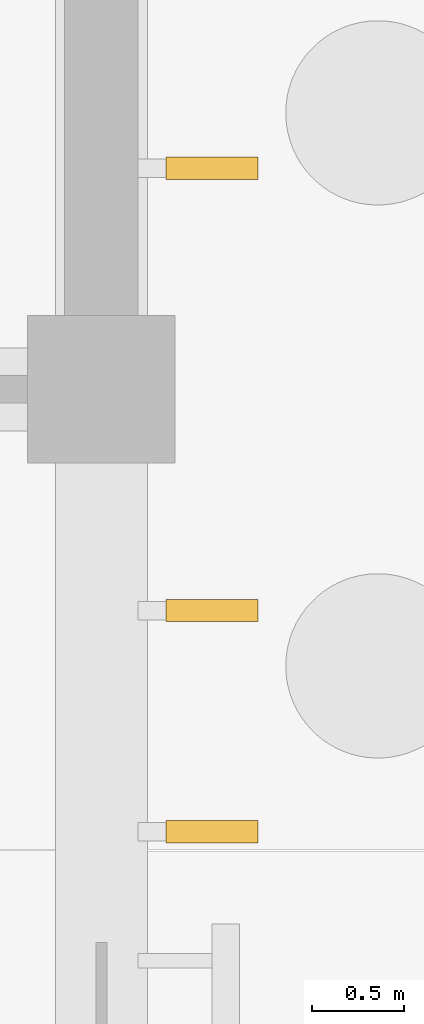
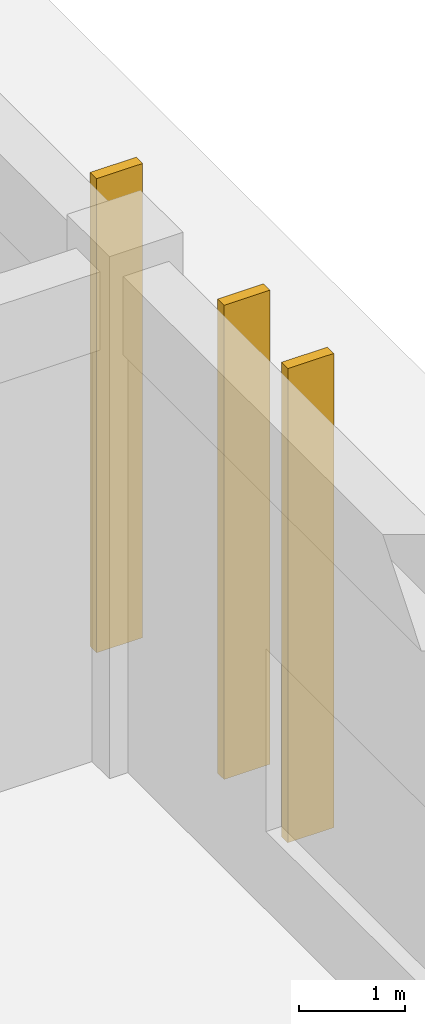
# One storey, part 195 of 198: 3 coverings.
"""IFC4 building model written with IfcOpenShell, lengths in metres."""

from ifc_helpers import new_model, si_unit, direction, frame, origin, origin_2d, place, context, subcontext, project, spatial, rectangle, extrude, material, layer, layer_set, type_object, element, save


model = new_model("IFC4")

# Units and contexts
model_context = context("Model", 3, precision=1e-05, world=origin(), true_north=direction((0.0, 1.0)))
body_context = subcontext(model_context, "Body", "Model", "MODEL_VIEW")
ifc_project = project(units=[si_unit("LENGTHUNIT", "METRE"), si_unit("AREAUNIT", "SQUARE_METRE"), si_unit("VOLUMEUNIT", "CUBIC_METRE"), si_unit("PLANEANGLEUNIT", "RADIAN"), si_unit("MASSUNIT", "GRAM", prefix="KILO")], contexts=[model_context])

# Site, building, storey
site_placement = place(None, origin())
site = spatial("IfcSite", under=ifc_project, at=site_placement, CompositionType="ELEMENT")
building_placement = place(site_placement, origin())
building = spatial("IfcBuilding", under=site, at=building_placement, Name="Opaline Strait Convention Centre", CompositionType="ELEMENT")
storey_placement = place(building_placement, origin())
storey = spatial("IfcBuildingStorey", under=building, at=storey_placement, Name="L00", CompositionType="ELEMENT", Elevation=0.0)

# Coverings
ifc_material = material(Name="Aluminium alloy 6063-T5", Category="aluminium")
ifc_layer = layer(ifc_material, 0.1201171875)
ifc_layer_set = layer_set([ifc_layer], Name="Aluminium alloy 6063-T5")
covering_type = type_object("IfcCoveringType", Name="Storm louvre fin 120 x 500 aluminium", PredefinedType="CLADDING", material=ifc_layer_set)
for number, where, z_axis, x_axis, name in (
    (1, (360.60009765625, 132.60009765625, 0.25), (0.0, 0.0, 1.0), (1.0, 0.0, 0.0), "Storm louvre fin E L00"),
    (2, (360.60009765625, 133.800048828125, 0.25), (0.0, 0.0, 1.0), (1.0, 0.0, 0.0), "Storm louvre fin E L00"),
    (3, (360.60009765625, 136.199951171875, 0.25), (0.0, 0.0, 1.0), (1.0, 0.0, 0.0), "Storm louvre fin E L00"),
):
    element("IfcCovering", number, at=place(storey_placement, frame(where, z_axis=z_axis, x_axis=x_axis)), inside=storey, type_object=covering_type, Name=name, PredefinedType="CLADDING", context=body_context, shape_type="SweptSolid", body=[
        extrude(rectangle(XDim=0.5, YDim=0.1201171875, at=origin_2d()), origin(), (0.0, 0.0, 1.0), 5.449951171875),
    ])

save(model, "model.ifc")
